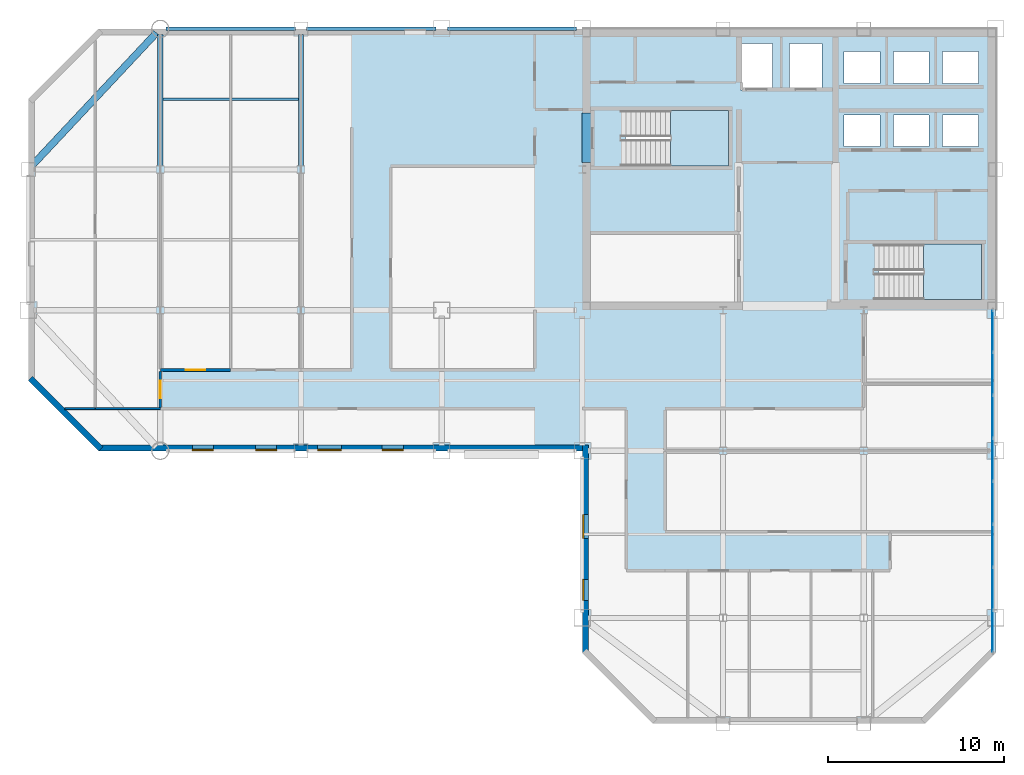
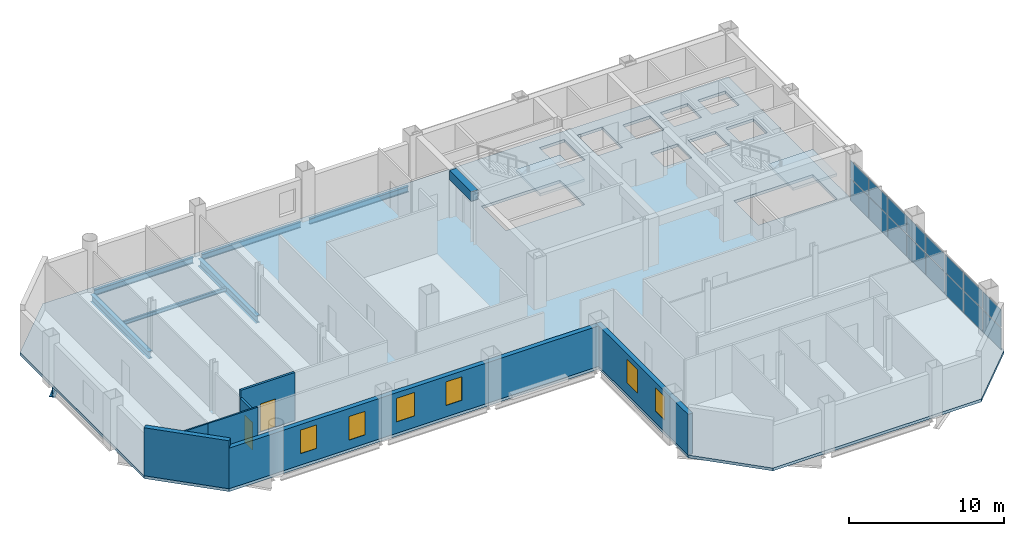
# One storey, part 7 of 12: 16 plates, 8 beams, 7 walls, 6 windows, 3 slabs, 2 doors, 8 openings, 3 elements without a shape of their own.
"""IFC4 building model written with IfcOpenShell, lengths in metres."""

from ifc_helpers import new_model, si_unit, direction, frame, frame_2d, origin, origin_2d, place, context, subcontext, project, spatial, polyline, rectangle, i_section, outline, extrude, material, layer, layer_set, material_profile, profile_set, type_object, element, fill, aggregate, save


model = new_model("IFC4")

# Units and contexts
model_context = context("Model", 3, precision=1e-05, world=origin(), true_north=direction((0.0, 1.0)))
body_context = subcontext(model_context, "Body", "Model", "MODEL_VIEW")
ifc_project = project(units=[si_unit("LENGTHUNIT", "METRE"), si_unit("AREAUNIT", "SQUARE_METRE"), si_unit("VOLUMEUNIT", "CUBIC_METRE"), si_unit("PLANEANGLEUNIT", "RADIAN"), si_unit("MASSUNIT", "GRAM", prefix="KILO")], contexts=[model_context])

# Site, building, storey
site_placement = place(None, origin())
site = spatial("IfcSite", under=ifc_project, at=site_placement, CompositionType="ELEMENT")
building_placement = place(site_placement, origin())
building = spatial("IfcBuilding", under=site, at=building_placement, Name="Qianrong Seaharbour Tower", CompositionType="ELEMENT")
storey_placement = place(building_placement, frame((0.0, 0.0, 213.800048828125)))
storey = spatial("IfcBuildingStorey", under=building, at=storey_placement, Name="L51", CompositionType="ELEMENT", Elevation=213.800048828125)

# Beams
ifc_material_1 = material(Name="Structural steel SN490B", Category="steel")
ifc_material_profile_1 = material_profile(ifc_material_1, i_section(OverallWidth=0.300048828125, OverallDepth=0.587890625, WebThickness=0.011962890625, FlangeThickness=0.02001953125, FilletRadius=0.02392578125, at=origin_2d()), Name="H588x300x12x20")
ifc_profile_set_1 = profile_set([ifc_material_profile_1], Name="Structural steel SN490B")
beam_type_1 = type_object("IfcBeamType", Name="BM-G-588", PredefinedType="BEAM", material=ifc_profile_set_1)
for number, where, z_axis, x_axis, name in (
    (1, (16.5, 44.199951171875, -0.51904296875), (0.0, 1.0, 0.0), (-1.0, 0.0, 0.0), "L51 Primary Girder G3 GG-GH"),
    (2, (24.5, 44.199951171875, -0.51904296875), (0.0, 1.0, 0.0), (-1.0, 0.0, 0.0), "L51 Primary Girder G4 GG-GH"),
):
    element("IfcBeam", number, at=place(storey_placement, frame(where, z_axis=z_axis, x_axis=x_axis)), inside=storey, type_object=beam_type_1, Name=name, PredefinedType="BEAM", context=body_context, shape_type="SweptSolid", body=[
        extrude(i_section(OverallWidth=0.300048828125, OverallDepth=0.587890625, WebThickness=0.011962890625, FlangeThickness=0.02001953125, FilletRadius=0.02392578125, at=origin_2d()), origin(), (0.0, 0.0, 1.0), 7.47998046875),
    ])
ifc_material_2 = material(Name="Structural steel SN400B", Category="steel")
ifc_material_profile_2 = material_profile(ifc_material_2, i_section(OverallWidth=0.14990234375, OverallDepth=0.300048828125, WebThickness=0.006591796875, FlangeThickness=0.009033203125, FilletRadius=0.012939453125, at=origin_2d()), Name="H300x150x6.5x9")
ifc_profile_set_2 = profile_set([ifc_material_profile_2], Name="Structural steel SN400B")
beam_type_2 = type_object("IfcBeamType", Name="BM-J-300", PredefinedType="JOIST", material=ifc_profile_set_2)
beam_1_placement = place(storey_placement, frame((16.64990234375, 48.0, -0.375), z_axis=(1.0, 0.0, 0.0), x_axis=(0.0, 1.0, 0.0)))
element("IfcBeam", 3, at=beam_1_placement, inside=storey, type_object=beam_type_2, Name="L51 Composite Floor Joist G3-G4/GG-GH", PredefinedType="JOIST", context=body_context, shape_type="SweptSolid", body=[
    extrude(i_section(OverallWidth=0.14990234375, OverallDepth=0.300048828125, WebThickness=0.006591796875, FlangeThickness=0.009033203125, FilletRadius=0.012939453125, at=origin_2d()), origin(), (0.0, 0.0, 1.0), 7.7001953125),
])
ifc_material_3 = material(Name="Concrete C60/75", Category="concrete")
ifc_material_profile_3 = material_profile(ifc_material_3, rectangle(XDim=0.5, YDim=0.75, at=origin_2d()), Name="RC500x750")
ifc_profile_set_3 = profile_set([ifc_material_profile_3], Name="Concrete C60/75")
beam_type_3 = type_object("IfcBeamType", Name="BM-LINTEL-750", PredefinedType="LINTEL", material=ifc_profile_set_3)
beam_2_placement = place(storey_placement, frame((40.72998046875, 44.39990234375, 3.39990234375), z_axis=(0.0, 1.0, 0.0), x_axis=(-1.0, 0.0, 0.0)))
element("IfcBeam", 4, at=beam_2_placement, inside=storey, type_object=beam_type_3, Name="L51 Core Coupling Lintel Beam West", PredefinedType="LINTEL", context=body_context, shape_type="SweptSolid", body=[
    extrude(rectangle(XDim=0.5, YDim=0.75, at=origin_2d()), origin(), (0.0, 0.0, 1.0), 2.800048828125),
])
ifc_material_profile_4 = material_profile(ifc_material_2, i_section(OverallWidth=0.199951171875, OverallDepth=0.449951171875, WebThickness=0.009033203125, FlangeThickness=0.013916015625, FilletRadius=0.01806640625, at=origin_2d()), Name="H450x200x9x14")
ifc_profile_set_4 = profile_set([ifc_material_profile_4], Name="Structural steel SN400B")
beam_type_4 = type_object("IfcBeamType", Name="BM-SP-450", PredefinedType="SPANDREL", material=ifc_profile_set_4)
for number, where, z_axis, x_axis, name in (
    (5, (16.820068359375, 52.0, -0.449951171875), (1.0, 0.0, 0.0), (0.0, 1.0, 0.0), "L51 Spandrel Girder GH G3-G4"),
    (6, (24.820068359375, 52.0, -0.449951171875), (1.0, 0.0, 0.0), (0.0, 1.0, 0.0), "L51 Spandrel Girder GH G4-G5"),
    (7, (32.820068359375, 52.0, -0.449951171875), (1.0, 0.0, 0.0), (0.0, 1.0, 0.0), "L51 Spandrel Girder GH G5-G6"),
):
    element("IfcBeam", number, at=place(storey_placement, frame(where, z_axis=z_axis, x_axis=x_axis)), inside=storey, type_object=beam_type_4, Name=name, PredefinedType="SPANDREL", context=body_context, shape_type="SweptSolid", body=[
        extrude(i_section(OverallWidth=0.199951171875, OverallDepth=0.449951171875, WebThickness=0.009033203125, FlangeThickness=0.013916015625, FilletRadius=0.01806640625, at=origin_2d()), origin(), (0.0, 0.0, 1.0), 7.35986328125),
    ])
ifc_material_profile_5 = material_profile(ifc_material_1, i_section(OverallWidth=0.39990234375, OverallDepth=1.10009765625, WebThickness=0.02001953125, FlangeThickness=0.035888671875, at=origin_2d()), Name="BH1100x400x20x36")
ifc_profile_set_5 = profile_set([ifc_material_profile_5], Name="Structural steel SN490B")
beam_type_5 = type_object("IfcBeamType", Name="BM-TG-1100", PredefinedType="BEAM", material=ifc_profile_set_5)
beam_3_placement = place(storey_placement, frame((16.28125, 51.7666015625, -0.775146484375), z_axis=(-0.683947420573, -0.729531305628, 0.0), x_axis=(0.729531305628, -0.683947420573, 0.0)))
element("IfcBeam", 8, at=beam_3_placement, inside=storey, type_object=beam_type_5, Name="L51 Chamfer Corner Spandrel Girder G2/GH", PredefinedType="BEAM", context=body_context, shape_type="SweptSolid", body=[
    extrude(i_section(OverallWidth=0.39990234375, OverallDepth=1.10009765625, WebThickness=0.02001953125, FlangeThickness=0.035888671875, at=origin_2d()), origin(), (0.0, 0.0, 1.0), 10.326171875),
])

# Curtain wall, plates
ifc_material_4 = material(Name="Anodised aluminium 6063-T6 and laminated low-e glass", Category="aluminium")
ifc_layer_1 = layer(ifc_material_4, 0.195068359375)
ifc_layer_set_1 = layer_set([ifc_layer_1], Name="Anodised aluminium 6063-T6 and laminated low-e glass")
curtain_wall_type = type_object("IfcCurtainWallType", Name="CW-SYS-3", PredefinedType="NOTDEFINED", material=ifc_layer_set_1)
curtain_wall_placement = place(storey_placement, origin())
curtain_wall = element("IfcCurtainWall", 9, at=curtain_wall_placement, inside=storey, type_object=curtain_wall_type, Name="L51 Sky-Garden Wintergarden Curtain Wall EAST_WING", PredefinedType="NOTDEFINED")
ifc_material_5 = material(Name="Laminated solar-control low-e glass", Category="glass")
ifc_layer_2 = layer(ifc_material_5, 0.031982421875)
ifc_layer_set_2 = layer_set([ifc_layer_2], Name="Laminated solar-control low-e glass")
plate_type = type_object("IfcPlateType", Name="CW-PAN-VISION-32", PredefinedType="CURTAIN_PANEL", material=ifc_layer_set_2)
plate_1_placement = place(storey_placement, frame((63.830078125, 34.810546875, 0.06494140625), z_axis=(0.0, 0.0, 1.0), x_axis=(0.0, -1.0, 0.0)))
plate_1 = element("IfcPlate", 10, at=plate_1_placement, type_object=plate_type, Name="CW-3 panel 1.1", PredefinedType="CURTAIN_PANEL", context=body_context, shape_type="SweptSolid", body=[
    extrude(rectangle(XDim=2.3388671875, YDim=0.031982421875, at=origin_2d()), origin(), (0.0, 0.0, 1.0), 1.709228515625),
])
plate_2_placement = place(storey_placement, frame((63.830078125, 34.810546875, 1.83935546875), z_axis=(0.0, 0.0, 1.0), x_axis=(0.0, -1.0, 0.0)))
plate_2 = element("IfcPlate", 11, at=plate_2_placement, type_object=plate_type, Name="CW-3 panel 1.2", PredefinedType="CURTAIN_PANEL", context=body_context, shape_type="SweptSolid", body=[
    extrude(rectangle(XDim=2.3388671875, YDim=0.031982421875, at=origin_2d()), origin(), (0.0, 0.0, 1.0), 1.380615234375),
])
plate_3_placement = place(storey_placement, frame((63.830078125, 32.38427734375, 0.06494140625), z_axis=(0.0, 0.0, 1.0), x_axis=(0.0, -1.0, 0.0)))
plate_3 = element("IfcPlate", 12, at=plate_3_placement, type_object=plate_type, Name="CW-3 panel 2.1", PredefinedType="CURTAIN_PANEL", context=body_context, shape_type="SweptSolid", body=[
    extrude(rectangle(XDim=2.373779296875, YDim=0.031982421875, at=origin_2d()), origin(), (0.0, 0.0, 1.0), 1.709228515625),
])
plate_4_placement = place(storey_placement, frame((63.830078125, 32.38427734375, 1.83935546875), z_axis=(0.0, 0.0, 1.0), x_axis=(0.0, -1.0, 0.0)))
plate_4 = element("IfcPlate", 13, at=plate_4_placement, type_object=plate_type, Name="CW-3 panel 2.2", PredefinedType="CURTAIN_PANEL", context=body_context, shape_type="SweptSolid", body=[
    extrude(rectangle(XDim=2.373779296875, YDim=0.031982421875, at=origin_2d()), origin(), (0.0, 0.0, 1.0), 1.380615234375),
])
plate_5_placement = place(storey_placement, frame((63.830078125, 29.940673828125, 0.06494140625), z_axis=(0.0, 0.0, 1.0), x_axis=(0.0, -1.0, 0.0)))
plate_5 = element("IfcPlate", 14, at=plate_5_placement, type_object=plate_type, Name="CW-3 panel 3.1", PredefinedType="CURTAIN_PANEL", context=body_context, shape_type="SweptSolid", body=[
    extrude(rectangle(XDim=2.373779296875, YDim=0.031982421875, at=origin_2d()), origin(), (0.0, 0.0, 1.0), 1.709228515625),
])
plate_6_placement = place(storey_placement, frame((63.830078125, 29.940673828125, 1.83935546875), z_axis=(0.0, 0.0, 1.0), x_axis=(0.0, -1.0, 0.0)))
plate_6 = element("IfcPlate", 15, at=plate_6_placement, type_object=plate_type, Name="CW-3 panel 3.2", PredefinedType="CURTAIN_PANEL", context=body_context, shape_type="SweptSolid", body=[
    extrude(rectangle(XDim=2.373779296875, YDim=0.031982421875, at=origin_2d()), origin(), (0.0, 0.0, 1.0), 1.380615234375),
])
plate_7_placement = place(storey_placement, frame((63.830078125, 27.496826171875, 0.06494140625), z_axis=(0.0, 0.0, 1.0), x_axis=(0.0, -1.0, 0.0)))
plate_7 = element("IfcPlate", 16, at=plate_7_placement, type_object=plate_type, Name="CW-3 panel 4.1", PredefinedType="CURTAIN_PANEL", context=body_context, shape_type="SweptSolid", body=[
    extrude(rectangle(XDim=2.373779296875, YDim=0.031982421875, at=origin_2d()), origin(), (0.0, 0.0, 1.0), 1.709228515625),
])
plate_8_placement = place(storey_placement, frame((63.830078125, 27.496826171875, 1.83935546875), z_axis=(0.0, 0.0, 1.0), x_axis=(0.0, -1.0, 0.0)))
plate_8 = element("IfcPlate", 17, at=plate_8_placement, type_object=plate_type, Name="CW-3 panel 4.2", PredefinedType="CURTAIN_PANEL", context=body_context, shape_type="SweptSolid", body=[
    extrude(rectangle(XDim=2.373779296875, YDim=0.031982421875, at=origin_2d()), origin(), (0.0, 0.0, 1.0), 1.380615234375),
])
plate_9_placement = place(storey_placement, frame((63.830078125, 25.05322265625, 0.06494140625), z_axis=(0.0, 0.0, 1.0), x_axis=(0.0, -1.0, 0.0)))
plate_9 = element("IfcPlate", 18, at=plate_9_placement, type_object=plate_type, Name="CW-3 panel 5.1", PredefinedType="CURTAIN_PANEL", context=body_context, shape_type="SweptSolid", body=[
    extrude(rectangle(XDim=2.373779296875, YDim=0.031982421875, at=origin_2d()), origin(), (0.0, 0.0, 1.0), 1.709228515625),
])
plate_10_placement = place(storey_placement, frame((63.830078125, 25.05322265625, 1.83935546875), z_axis=(0.0, 0.0, 1.0), x_axis=(0.0, -1.0, 0.0)))
plate_10 = element("IfcPlate", 19, at=plate_10_placement, type_object=plate_type, Name="CW-3 panel 5.2", PredefinedType="CURTAIN_PANEL", context=body_context, shape_type="SweptSolid", body=[
    extrude(rectangle(XDim=2.373779296875, YDim=0.031982421875, at=origin_2d()), origin(), (0.0, 0.0, 1.0), 1.380615234375),
])
plate_11_placement = place(storey_placement, frame((63.830078125, 22.609375, 0.06494140625), z_axis=(0.0, 0.0, 1.0), x_axis=(0.0, -1.0, 0.0)))
plate_11 = element("IfcPlate", 20, at=plate_11_placement, type_object=plate_type, Name="CW-3 panel 6.1", PredefinedType="CURTAIN_PANEL", context=body_context, shape_type="SweptSolid", body=[
    extrude(rectangle(XDim=2.373779296875, YDim=0.031982421875, at=origin_2d()), origin(), (0.0, 0.0, 1.0), 1.709228515625),
])
plate_12_placement = place(storey_placement, frame((63.830078125, 22.609375, 1.83935546875), z_axis=(0.0, 0.0, 1.0), x_axis=(0.0, -1.0, 0.0)))
plate_12 = element("IfcPlate", 21, at=plate_12_placement, type_object=plate_type, Name="CW-3 panel 6.2", PredefinedType="CURTAIN_PANEL", context=body_context, shape_type="SweptSolid", body=[
    extrude(rectangle(XDim=2.373779296875, YDim=0.031982421875, at=origin_2d()), origin(), (0.0, 0.0, 1.0), 1.380615234375),
])
plate_13_placement = place(storey_placement, frame((63.830078125, 20.16552734375, 0.06494140625), z_axis=(0.0, 0.0, 1.0), x_axis=(0.0, -1.0, 0.0)))
plate_13 = element("IfcPlate", 22, at=plate_13_placement, type_object=plate_type, Name="CW-3 panel 7.1", PredefinedType="CURTAIN_PANEL", context=body_context, shape_type="SweptSolid", body=[
    extrude(rectangle(XDim=2.373779296875, YDim=0.031982421875, at=origin_2d()), origin(), (0.0, 0.0, 1.0), 1.709228515625),
])
plate_14_placement = place(storey_placement, frame((63.830078125, 20.16552734375, 1.83935546875), z_axis=(0.0, 0.0, 1.0), x_axis=(0.0, -1.0, 0.0)))
plate_14 = element("IfcPlate", 23, at=plate_14_placement, type_object=plate_type, Name="CW-3 panel 7.2", PredefinedType="CURTAIN_PANEL", context=body_context, shape_type="SweptSolid", body=[
    extrude(rectangle(XDim=2.373779296875, YDim=0.031982421875, at=origin_2d()), origin(), (0.0, 0.0, 1.0), 1.380615234375),
])
plate_15_placement = place(storey_placement, frame((63.830078125, 17.7392578125, 0.06494140625), z_axis=(0.0, 0.0, 1.0), x_axis=(0.0, -1.0, 0.0)))
plate_15 = element("IfcPlate", 24, at=plate_15_placement, type_object=plate_type, Name="CW-3 panel 8.1", PredefinedType="CURTAIN_PANEL", context=body_context, shape_type="SweptSolid", body=[
    extrude(rectangle(XDim=2.3388671875, YDim=0.031982421875, at=origin_2d()), origin(), (0.0, 0.0, 1.0), 1.709228515625),
])
plate_16_placement = place(storey_placement, frame((63.830078125, 17.7392578125, 1.83935546875), z_axis=(0.0, 0.0, 1.0), x_axis=(0.0, -1.0, 0.0)))
plate_16 = element("IfcPlate", 25, at=plate_16_placement, type_object=plate_type, Name="CW-3 panel 8.2", PredefinedType="CURTAIN_PANEL", context=body_context, shape_type="SweptSolid", body=[
    extrude(rectangle(XDim=2.3388671875, YDim=0.031982421875, at=origin_2d()), origin(), (0.0, 0.0, 1.0), 1.380615234375),
])
aggregate(curtain_wall, [plate_1, plate_2, plate_3, plate_4, plate_5, plate_6, plate_7, plate_8, plate_9, plate_10, plate_11, plate_12, plate_13, plate_14, plate_15, plate_16])

# Stair, slab
ifc_material_6 = material(Name="Concrete C50/60", Category="concrete")
stair_type = type_object("IfcStairType", Name="STAIR-DOGLEG-1500-R22", PredefinedType="HALF_TURN_STAIR", material=ifc_material_6)
stair_1_placement = place(storey_placement, origin())
stair_1 = element("IfcStair", 26, at=stair_1_placement, inside=storey, type_object=stair_type, Name="L51 Protected Escape Stair ST-1", PredefinedType="HALF_TURN_STAIR")
ifc_layer_3 = layer(ifc_material_6, 0.199951171875)
ifc_layer_set_3 = layer_set([ifc_layer_3], Name="Concrete C50/60")
slab_type_1 = type_object("IfcSlabType", Name="SLAB-STAIR-LANDING-200", PredefinedType="LANDING", material=ifc_layer_set_3)
slab_1_placement = place(storey_placement, frame((0.0, 0.0, 1.800048828125)))
slab_1 = element("IfcSlab", 27, at=slab_1_placement, type_object=slab_type_1, Name="ST-1 landing 1", PredefinedType="LANDING", context=body_context, shape_type="SweptSolid", body=[
    extrude(outline(polyline([(45.5, 44.199951171875), (48.800048828125, 44.199951171875), (48.800048828125, 47.35009765625), (45.5, 47.35009765625), (45.5, 44.199951171875)])), origin(), (0.0, 0.0, 1.0), 0.199951171875),
])
aggregate(stair_1, [slab_1])

stair_2_placement = place(storey_placement, origin())
stair_2 = element("IfcStair", 28, at=stair_2_placement, inside=storey, type_object=stair_type, Name="L51 Protected Escape Stair ST-2", PredefinedType="HALF_TURN_STAIR")
slab_2_placement = place(storey_placement, frame((0.0, 0.0, 1.800048828125)))
slab_2 = element("IfcSlab", 29, at=slab_2_placement, type_object=slab_type_1, Name="ST-2 landing 1", PredefinedType="LANDING", context=body_context, shape_type="SweptSolid", body=[
    extrude(outline(polyline([(59.89990234375, 36.60009765625), (63.199951171875, 36.60009765625), (63.199951171875, 39.75), (59.89990234375, 39.75), (59.89990234375, 36.60009765625)])), origin(), (0.0, 0.0, 1.0), 0.199951171875),
])
aggregate(stair_2, [slab_2])

# Slab
ifc_layer_4 = layer(ifc_material_6, 0.22509765625)
ifc_layer_set_4 = layer_set([ifc_layer_4], Name="Concrete C50/60")
slab_type_2 = type_object("IfcSlabType", Name="SLAB-Z3-225", PredefinedType="FLOOR", material=ifc_layer_set_4)
slab_3_placement = place(storey_placement, frame((0.0, 0.0, -0.22509765625)))
element("IfcSlab", 30, at=slab_3_placement, inside=storey, type_object=slab_type_2, Name="L51 Structural Floor Slab", PredefinedType="FLOOR", context=body_context, shape_type="SweptSolid", body=[
    extrude(outline(polyline([(44.5, 12.5), (60.0, 12.5), (64.0, 16.5), (64.0, 52.0), (13.0, 52.0), (9.0, 48.0), (9.0, 32.0), (13.0, 28.0), (40.5, 28.0), (40.5, 16.5), (44.5, 12.5)]), holes=[polyline([(42.93994140625, 44.199951171875), (42.93994140625, 47.35009765625), (48.800048828125, 47.35009765625), (48.800048828125, 44.199951171875), (42.93994140625, 44.199951171875)]), polyline([(57.340087890625, 36.60009765625), (57.340087890625, 39.75), (63.199951171875, 39.75), (63.199951171875, 36.60009765625), (57.340087890625, 36.60009765625)]), polyline([(49.47998046875, 48.530029296875), (49.47998046875, 51.169921875), (51.320068359375, 51.169921875), (51.320068359375, 48.530029296875), (49.47998046875, 48.530029296875)]), polyline([(52.280029296875, 48.530029296875), (52.280029296875, 51.169921875), (54.1201171875, 51.169921875), (54.1201171875, 48.530029296875), (52.280029296875, 48.530029296875)]), polyline([(55.3798828125, 45.300048828125), (55.3798828125, 47.10009765625), (57.419921875, 47.10009765625), (57.419921875, 45.300048828125), (55.3798828125, 45.300048828125)]), polyline([(58.179931640625, 45.300048828125), (58.179931640625, 47.10009765625), (60.219970703125, 47.10009765625), (60.219970703125, 45.300048828125), (58.179931640625, 45.300048828125)]), polyline([(60.97998046875, 45.300048828125), (60.97998046875, 47.10009765625), (63.02001953125, 47.10009765625), (63.02001953125, 45.300048828125), (60.97998046875, 45.300048828125)]), polyline([(55.3798828125, 48.89990234375), (55.3798828125, 50.699951171875), (57.419921875, 50.699951171875), (57.419921875, 48.89990234375), (55.3798828125, 48.89990234375)]), polyline([(58.179931640625, 48.89990234375), (58.179931640625, 50.699951171875), (60.219970703125, 50.699951171875), (60.219970703125, 48.89990234375), (58.179931640625, 48.89990234375)]), polyline([(60.97998046875, 48.89990234375), (60.97998046875, 50.699951171875), (63.02001953125, 50.699951171875), (63.02001953125, 48.89990234375), (60.97998046875, 48.89990234375)])]), origin(), (0.0, 0.0, 1.0), 0.22509765625),
])

# Wall, opening, door
ifc_material_7 = material(Name="Fire-rated acoustic gypsum board partition")
ifc_layer_5 = layer(ifc_material_7, 0.1650390625)
ifc_layer_set_5 = layer_set([ifc_layer_5], Name="Fire-rated acoustic gypsum board partition")
wall_type_1 = type_object("IfcWallType", Name="WALL-CORR-PART-165", PredefinedType="PARTITIONING", material=ifc_layer_set_5)
wall_1_placement = place(storey_placement, frame((16.5, 30.474609375, 0.0), z_axis=(0.0, 0.0, 1.0), x_axis=(0.0, 1.0, 0.0)))
wall_1 = element("IfcWall", 31, at=wall_1_placement, inside=storey, type_object=wall_type_1, Name="L51 Interior Partition Wall 016", PredefinedType="PARTITIONING", context=body_context, shape_type="SweptSolid", body=[
    extrude(rectangle(XDim=2.05078125, YDim=0.1650390625, at=frame_2d((1.025390625, 0.0))), origin(), (0.0, 0.0, 1.0), 3.178955078125),
])
opening_1_placement = place(wall_1_placement, frame((0.525390625, 0.0, 0.0)))
opening_1 = element("IfcOpeningElement", 32, at=opening_1_placement, cuts=wall_1, Name="Opening DO-01", PredefinedType="OPENING", context=body_context, shape_type="SweptSolid", body=[
    extrude(rectangle(XDim=1.0, YDim=2.14990234375, at=frame_2d((0.5, 1.074951171875))), frame((0.0, 0.092529296875, 0.0), z_axis=(0.0, -1.0, 0.0), x_axis=(1.0, 0.0, 0.0)), (0.0, 0.0, 1.0), 0.18505859375),
])
ifc_material_8 = material(Name="Acoustic timber and galvanized steel fire door assembly", Category="steel")
door_type_1 = type_object("IfcDoorType", Name="DOOR-OFFICE-1000x2150", OperationType="NOTDEFINED", PredefinedType="DOOR", material=ifc_material_8)
door_1_placement = place(opening_1_placement, origin())
door_1 = element("IfcDoor", 33, at=door_1_placement, inside=storey, type_object=door_type_1, Name="L51 Focus Room 2 Door", OperationType="SINGLE_SWING_LEFT", OverallHeight=2.14990234375, OverallWidth=1.0, PredefinedType="DOOR", context=body_context, shape_type="SweptSolid", body=[
    extrude(rectangle(XDim=1.0, YDim=2.14990234375, at=frame_2d((0.5, 1.074951171875))), frame((0.0, 0.02490234375, 0.0), z_axis=(0.0, -1.0, 0.0), x_axis=(1.0, 0.0, 0.0)), (0.0, 0.0, 1.0), 0.050048828125),
])
fill(opening_1, door_1)

wall_2_placement = place(storey_placement, frame((16.5, 32.60009765625, 0.0), z_axis=(0.0, 0.0, 1.0), x_axis=(1.0, 0.0, 0.0)))
wall_2 = element("IfcWall", 34, at=wall_2_placement, inside=storey, type_object=wall_type_1, Name="L51 Interior Partition Wall 017", PredefinedType="PARTITIONING", context=body_context, shape_type="SweptSolid", body=[
    extrude(rectangle(XDim=4.0, YDim=0.1650390625, at=frame_2d((2.0, 0.0))), origin(), (0.0, 0.0, 1.0), 3.77490234375),
])
opening_2_placement = place(wall_2_placement, frame((1.449951171875, 0.0, 0.0)))
opening_2 = element("IfcOpeningElement", 35, at=opening_2_placement, cuts=wall_2, Name="Opening DM-01", PredefinedType="OPENING", context=body_context, shape_type="SweptSolid", body=[
    extrude(rectangle(XDim=1.10009765625, YDim=2.199951171875, at=frame_2d((0.550048828125, 1.10009765625))), frame((0.0, 0.092529296875, 0.0), z_axis=(0.0, -1.0, 0.0), x_axis=(1.0, 0.0, 0.0)), (0.0, 0.0, 1.0), 0.18505859375),
])
door_type_2 = type_object("IfcDoorType", Name="DOOR-MEET-1100x2200", OperationType="NOTDEFINED", PredefinedType="DOOR", material=ifc_material_8)
door_2_placement = place(opening_2_placement, origin())
door_2 = element("IfcDoor", 36, at=door_2_placement, inside=storey, type_object=door_type_2, Name="L51 Meeting Room 3 Door", OperationType="SINGLE_SWING_RIGHT", OverallHeight=2.199951171875, OverallWidth=1.10009765625, PredefinedType="DOOR", context=body_context, shape_type="SweptSolid", body=[
    extrude(rectangle(XDim=1.10009765625, YDim=2.199951171875, at=frame_2d((0.550048828125, 1.10009765625))), frame((0.0, 0.02490234375, 0.0), z_axis=(0.0, -1.0, 0.0), x_axis=(1.0, 0.0, 0.0)), (0.0, 0.0, 1.0), 0.050048828125),
])
fill(opening_2, door_2)

# Walls
ifc_material_9 = material(Name="Demountable aluminium-framed acoustic office partition", Category="aluminium")
ifc_layer_6 = layer(ifc_material_9, 0.110107421875)
ifc_layer_set_6 = layer_set([ifc_layer_6], Name="Demountable aluminium-framed acoustic office partition")
wall_type_2 = type_object("IfcWallType", Name="WALL-DEMOUNT-110", PredefinedType="MOVABLE", material=ifc_layer_set_6)
wall_3_placement = place(storey_placement, frame((12.800048828125, 30.39990234375, 0.0), z_axis=(0.0, 0.0, 1.0), x_axis=(-1.0, 0.0, 0.0)))
element("IfcWall", 37, at=wall_3_placement, inside=storey, type_object=wall_type_2, Name="L51 Interior Partition Wall 041", PredefinedType="MOVABLE", context=body_context, shape_type="SweptSolid", body=[
    extrude(rectangle(XDim=1.73046875, YDim=0.110107421875, at=frame_2d((0.865234375, 0.0))), origin(), (0.0, 0.0, 1.0), 3.77490234375),
])
wall_4_placement = place(storey_placement, frame((16.5, 30.39990234375, 0.0), z_axis=(0.0, 0.0, 1.0), x_axis=(-1.0, 0.0, 0.0)))
element("IfcWall", 38, at=wall_4_placement, inside=storey, type_object=wall_type_2, Name="L51 Interior Partition Wall 043", PredefinedType="MOVABLE", context=body_context, shape_type="SweptSolid", body=[
    extrude(rectangle(XDim=3.699951171875, YDim=0.110107421875, at=frame_2d((1.85009765625, 0.0))), origin(), (0.0, 0.0, 1.0), 3.77490234375),
])

# Wall, openings, windows
ifc_material_10 = material(Name="Unitised buff brick on Precast concrete C45/55", Category="masonry")
ifc_layer_7 = layer(ifc_material_10, 0.340087890625)
ifc_layer_set_7 = layer_set([ifc_layer_7], Name="Unitised buff brick on Precast concrete C45/55")
wall_type_3 = type_object("IfcWallType", Name="WALL-EXT-BRICK-BUFF-340", PredefinedType="SOLIDWALL", material=ifc_layer_set_7)
wall_5_placement = place(storey_placement, frame((40.669921875, 16.5, 0.0), z_axis=(0.0, 0.0, 1.0), x_axis=(0.0, 1.0, 0.0)))
wall_5 = element("IfcWall", 39, at=wall_5_placement, inside=storey, type_object=wall_type_3, Name="L51 Exterior Masonry Facade Wall REENTRANT_WEST", PredefinedType="SOLIDWALL", context=body_context, shape_type="SweptSolid", body=[
    extrude(rectangle(XDim=11.840087890625, YDim=0.340087890625, at=frame_2d((5.919921875, 0.0))), origin(), (0.0, 0.0, 1.0), 3.18701171875),
])
opening_3_placement = place(wall_5_placement, frame((3.0, 0.0, 0.89990234375)))
opening_3 = element("IfcOpeningElement", 40, at=opening_3_placement, cuts=wall_5, Name="Opening WN-01", PredefinedType="OPENING", context=body_context, shape_type="SweptSolid", body=[
    extrude(rectangle(XDim=1.199951171875, YDim=1.85009765625, at=frame_2d((0.60009765625, 0.925048828125))), frame((0.0, 0.18017578125, 0.0), z_axis=(0.0, -1.0, 0.0), x_axis=(1.0, 0.0, 0.0)), (0.0, 0.0, 1.0), 0.360107421875),
])
opening_4_placement = place(wall_5_placement, frame((6.52490234375, 0.0, 0.89990234375)))
opening_4 = element("IfcOpeningElement", 41, at=opening_4_placement, cuts=wall_5, Name="Opening WN-02", PredefinedType="OPENING", context=body_context, shape_type="SweptSolid", body=[
    extrude(rectangle(XDim=1.35009765625, YDim=1.85009765625, at=frame_2d((0.675048828125, 0.925048828125))), frame((0.0, 0.18017578125, 0.0), z_axis=(0.0, -1.0, 0.0), x_axis=(1.0, 0.0, 0.0)), (0.0, 0.0, 1.0), 0.360107421875),
])
ifc_material_11 = material(Name="Insulated low-e double glazing in thermally broken aluminium 6063-T6 frame", Category="aluminium")
window_type_1 = type_object("IfcWindowType", Name="WIN-PUNCH-1200x1850", PartitioningType="DOUBLE_PANEL_VERTICAL", PredefinedType="WINDOW", material=ifc_material_11)
window_1_placement = place(opening_3_placement, origin())
window_1 = element("IfcWindow", 42, at=window_1_placement, inside=storey, type_object=window_type_1, Name="L51 Deep-Set Punched Window 00.01", OverallHeight=1.85009765625, OverallWidth=1.199951171875, PartitioningType="DOUBLE_PANEL_VERTICAL", PredefinedType="WINDOW", context=body_context, shape_type="SweptSolid", body=[
    extrude(rectangle(XDim=1.199951171875, YDim=1.85009765625, at=frame_2d((0.60009765625, 0.925048828125))), frame((0.0, 0.150146484375, 0.0), z_axis=(0.0, -1.0, 0.0), x_axis=(1.0, 0.0, 0.0)), (0.0, 0.0, 1.0), 0.06005859375),
])
fill(opening_3, window_1)
window_type_2 = type_object("IfcWindowType", Name="WIN-PUNCH-1350x1850", PartitioningType="DOUBLE_PANEL_VERTICAL", PredefinedType="WINDOW", material=ifc_material_11)
window_2_placement = place(opening_4_placement, origin())
window_2 = element("IfcWindow", 43, at=window_2_placement, inside=storey, type_object=window_type_2, Name="L51 Deep-Set Punched Window 00.02", OverallHeight=1.85009765625, OverallWidth=1.35009765625, PartitioningType="DOUBLE_PANEL_VERTICAL", PredefinedType="WINDOW", context=body_context, shape_type="SweptSolid", body=[
    extrude(rectangle(XDim=1.35009765625, YDim=1.85009765625, at=frame_2d((0.675048828125, 0.925048828125))), frame((0.0, 0.150146484375, 0.0), z_axis=(0.0, -1.0, 0.0), x_axis=(1.0, 0.0, 0.0)), (0.0, 0.0, 1.0), 0.06005859375),
])
fill(opening_4, window_2)

wall_6_placement = place(storey_placement, frame((40.52001953125, 28.169921875, 0.0), z_axis=(0.0, 0.0, 1.0), x_axis=(-1.0, 0.0, 0.0)))
wall_6 = element("IfcWall", 44, at=wall_6_placement, inside=storey, type_object=wall_type_3, Name="L51 Exterior Masonry Facade Wall HARBOUR_RIBBON", PredefinedType="SOLIDWALL", context=body_context, shape_type="SweptSolid", body=[
    extrude(rectangle(XDim=27.52001953125, YDim=0.340087890625, at=frame_2d((13.760009765625, 0.0))), origin(), (0.0, 0.0, 1.0), 3.18701171875),
])
opening_5_placement = place(wall_6_placement, frame((10.199951171875, 0.0, 0.89990234375)))
opening_5 = element("IfcOpeningElement", 45, at=opening_5_placement, cuts=wall_6, Name="Opening WN-01", PredefinedType="OPENING", context=body_context, shape_type="SweptSolid", body=[
    extrude(rectangle(XDim=1.199951171875, YDim=1.85009765625, at=frame_2d((0.60009765625, 0.925048828125))), frame((0.0, 0.18017578125, 0.0), z_axis=(0.0, -1.0, 0.0), x_axis=(1.0, 0.0, 0.0)), (0.0, 0.0, 1.0), 0.360107421875),
])
opening_6_placement = place(wall_6_placement, frame((13.72509765625, 0.0, 0.89990234375)))
opening_6 = element("IfcOpeningElement", 46, at=opening_6_placement, cuts=wall_6, Name="Opening WN-02", PredefinedType="OPENING", context=body_context, shape_type="SweptSolid", body=[
    extrude(rectangle(XDim=1.35009765625, YDim=1.85009765625, at=frame_2d((0.675048828125, 0.925048828125))), frame((0.0, 0.18017578125, 0.0), z_axis=(0.0, -1.0, 0.0), x_axis=(1.0, 0.0, 0.0)), (0.0, 0.0, 1.0), 0.360107421875),
])
opening_7_placement = place(wall_6_placement, frame((17.39990234375, 0.0, 0.699951171875)))
opening_7 = element("IfcOpeningElement", 47, at=opening_7_placement, cuts=wall_6, Name="Opening WN-01", PredefinedType="OPENING", context=body_context, shape_type="SweptSolid", body=[
    extrude(rectangle(XDim=1.199951171875, YDim=1.85009765625, at=frame_2d((0.60009765625, 0.925048828125))), frame((0.0, 0.18017578125, 0.0), z_axis=(0.0, -1.0, 0.0), x_axis=(1.0, 0.0, 0.0)), (0.0, 0.0, 1.0), 0.360107421875),
])
opening_8_placement = place(wall_6_placement, frame((21.0, 0.0, 0.89990234375)))
opening_8 = element("IfcOpeningElement", 48, at=opening_8_placement, cuts=wall_6, Name="Opening WN-01", PredefinedType="OPENING", context=body_context, shape_type="SweptSolid", body=[
    extrude(rectangle(XDim=1.199951171875, YDim=1.85009765625, at=frame_2d((0.60009765625, 0.925048828125))), frame((0.0, 0.18017578125, 0.0), z_axis=(0.0, -1.0, 0.0), x_axis=(1.0, 0.0, 0.0)), (0.0, 0.0, 1.0), 0.360107421875),
])
window_3_placement = place(opening_5_placement, origin())
window_3 = element("IfcWindow", 49, at=window_3_placement, inside=storey, type_object=window_type_1, Name="L51 Deep-Set Punched Window 01.03", OverallHeight=1.85009765625, OverallWidth=1.199951171875, PartitioningType="DOUBLE_PANEL_VERTICAL", PredefinedType="WINDOW", context=body_context, shape_type="SweptSolid", body=[
    extrude(rectangle(XDim=1.199951171875, YDim=1.85009765625, at=frame_2d((0.60009765625, 0.925048828125))), frame((0.0, 0.150146484375, 0.0), z_axis=(0.0, -1.0, 0.0), x_axis=(1.0, 0.0, 0.0)), (0.0, 0.0, 1.0), 0.06005859375),
])
fill(opening_5, window_3)
window_4_placement = place(opening_7_placement, origin())
window_4 = element("IfcWindow", 50, at=window_4_placement, inside=storey, type_object=window_type_1, Name="L51 Deep-Set Punched Window 01.05", OverallHeight=1.85009765625, OverallWidth=1.199951171875, PartitioningType="DOUBLE_PANEL_VERTICAL", PredefinedType="WINDOW", context=body_context, shape_type="SweptSolid", body=[
    extrude(rectangle(XDim=1.199951171875, YDim=1.85009765625, at=frame_2d((0.60009765625, 0.925048828125))), frame((0.0, 0.150146484375, 0.0), z_axis=(0.0, -1.0, 0.0), x_axis=(1.0, 0.0, 0.0)), (0.0, 0.0, 1.0), 0.06005859375),
])
fill(opening_7, window_4)
window_5_placement = place(opening_8_placement, origin())
window_5 = element("IfcWindow", 51, at=window_5_placement, inside=storey, type_object=window_type_1, Name="L51 Deep-Set Punched Window 01.06", OverallHeight=1.85009765625, OverallWidth=1.199951171875, PartitioningType="DOUBLE_PANEL_VERTICAL", PredefinedType="WINDOW", context=body_context, shape_type="SweptSolid", body=[
    extrude(rectangle(XDim=1.199951171875, YDim=1.85009765625, at=frame_2d((0.60009765625, 0.925048828125))), frame((0.0, 0.150146484375, 0.0), z_axis=(0.0, -1.0, 0.0), x_axis=(1.0, 0.0, 0.0)), (0.0, 0.0, 1.0), 0.06005859375),
])
fill(opening_8, window_5)
window_6_placement = place(opening_6_placement, origin())
window_6 = element("IfcWindow", 52, at=window_6_placement, inside=storey, type_object=window_type_2, Name="L51 Deep-Set Punched Window 01.04", OverallHeight=1.85009765625, OverallWidth=1.35009765625, PartitioningType="DOUBLE_PANEL_VERTICAL", PredefinedType="WINDOW", context=body_context, shape_type="SweptSolid", body=[
    extrude(rectangle(XDim=1.35009765625, YDim=1.85009765625, at=frame_2d((0.675048828125, 0.925048828125))), frame((0.0, 0.150146484375, 0.0), z_axis=(0.0, -1.0, 0.0), x_axis=(1.0, 0.0, 0.0)), (0.0, 0.0, 1.0), 0.06005859375),
])
fill(opening_6, window_6)

# Wall
wall_7_placement = place(storey_placement, frame((13.1201171875, 28.1201171875, 0.0), z_axis=(0.0, 0.0, 1.0), x_axis=(-0.707106781187, 0.707106781187, 0.0)))
element("IfcWall", 53, at=wall_7_placement, inside=storey, type_object=wall_type_3, Name="L51 Exterior Masonry Facade Wall E02", PredefinedType="SOLIDWALL", context=body_context, shape_type="SweptSolid", body=[
    extrude(rectangle(XDim=5.65673828125, YDim=0.340087890625, at=frame_2d((2.828369140625, 0.0))), origin(), (0.0, 0.0, 1.0), 3.77490234375),
])

save(model, "model.ifc")
